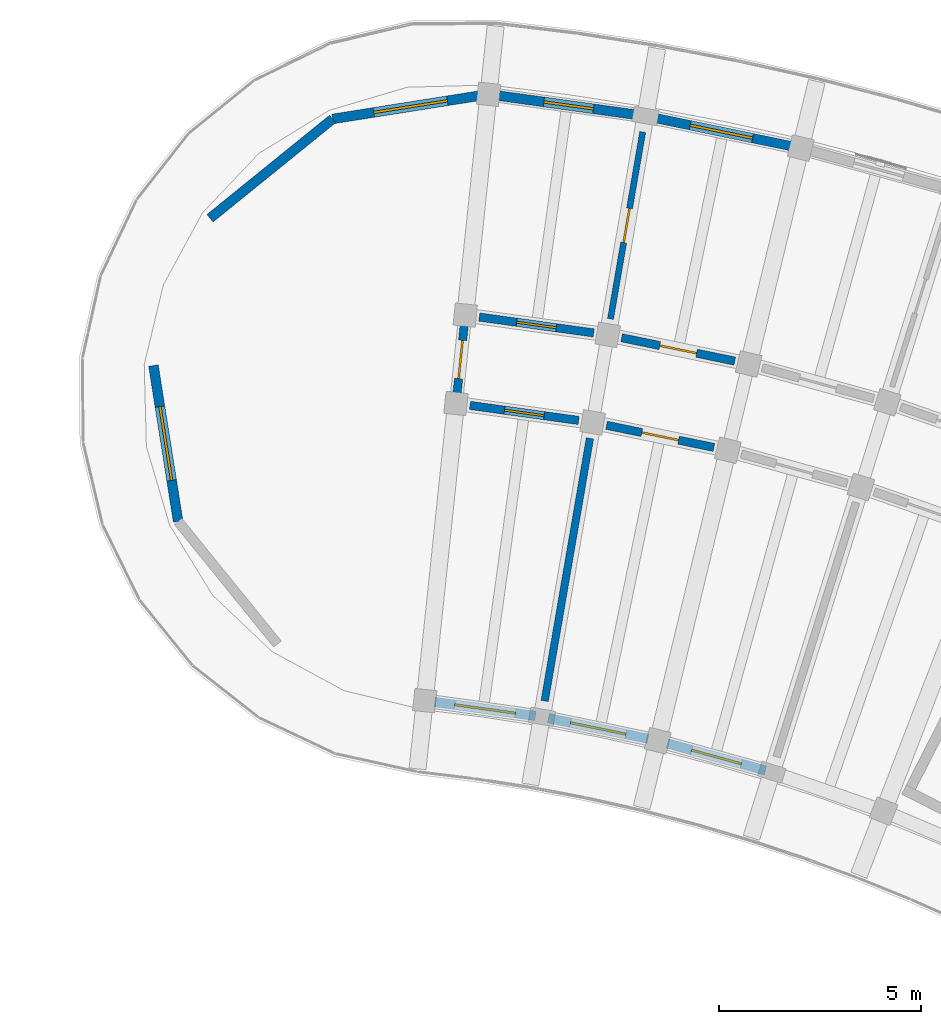
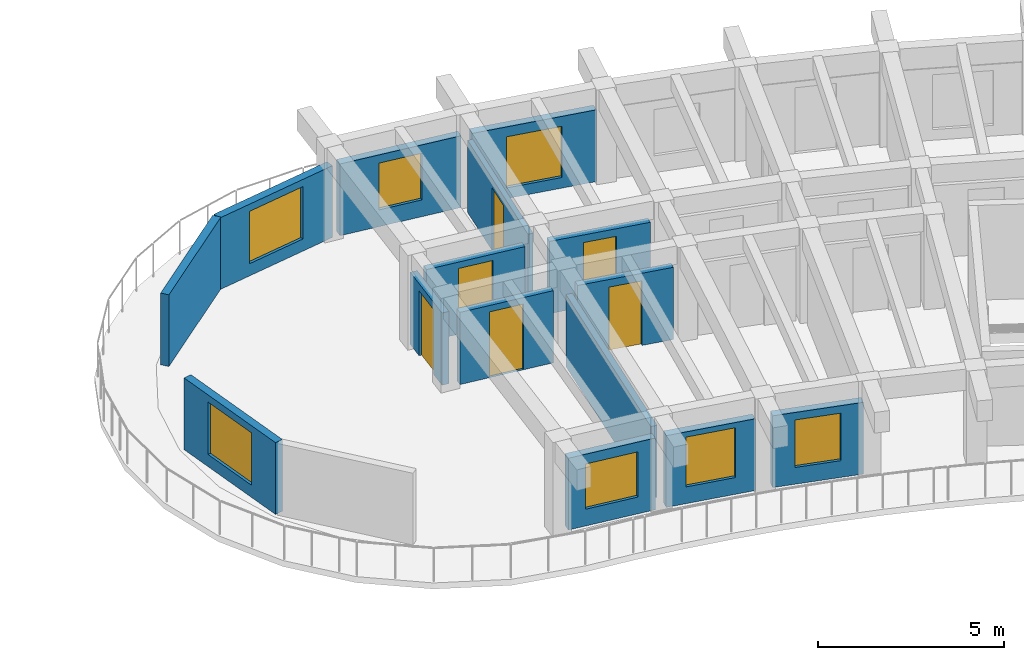
# One storey, part 51 of 81: 15 walls, 7 windows, 6 doors, 13 openings.
"""IFC4 building model written with IfcOpenShell, lengths in metres."""

from ifc_helpers import new_model, si_unit, direction, frame, frame_2d, origin, place, context, subcontext, project, spatial, rectangle, extrude, material, layer, layer_set, type_object, element, fill, save


model = new_model("IFC4")

# Units and contexts
model_context = context("Model", 3, precision=1e-05, world=origin(), true_north=direction((0.0, 1.0)))
body_context = subcontext(model_context, "Body", "Model", "MODEL_VIEW")
ifc_project = project(units=[si_unit("LENGTHUNIT", "METRE"), si_unit("AREAUNIT", "SQUARE_METRE"), si_unit("VOLUMEUNIT", "CUBIC_METRE"), si_unit("PLANEANGLEUNIT", "RADIAN"), si_unit("MASSUNIT", "GRAM", prefix="KILO")], contexts=[model_context])

# Site, building, storey
site_placement = place(None, origin())
site = spatial("IfcSite", under=ifc_project, at=site_placement, CompositionType="ELEMENT")
building_placement = place(site_placement, origin())
building = spatial("IfcBuilding", under=site, at=building_placement, Name="Tanwirah Colonnade Gardens", CompositionType="ELEMENT")
storey_placement = place(building_placement, frame((0.0, 0.0, 8.840087890625)))
storey = spatial("IfcBuildingStorey", under=building, at=storey_placement, Name="L02", CompositionType="ELEMENT", Elevation=8.840087890625)

# Wall, opening, window
ifc_material_1 = material(Name="Limestone architectural precast concrete C40/50", Category="masonry")
ifc_layer_1 = layer(ifc_material_1, 0.239990234375)
ifc_layer_set_1 = layer_set([ifc_layer_1], Name="Limestone architectural precast concrete C40/50")
wall_type_1 = type_object("IfcWallType", Name="EW-PC240", PredefinedType="SOLIDWALL", material=ifc_layer_set_1)
wall_1_placement = place(storey_placement, frame((134.0888671875, 102.674072265625, 0.0), z_axis=(0.0, 0.0, 1.0), x_axis=(-0.963901971286, 0.266257375017, 0.0)))
wall_1 = element("IfcWall", 1, at=wall_1_placement, inside=storey, type_object=wall_type_1, Name="Block B L02 IN Precast Facade Wall 15", PredefinedType="SOLIDWALL", context=body_context, shape_type="SweptSolid", body=[
    extrude(rectangle(XDim=2.525146484375, YDim=0.239990234375, at=frame_2d((1.2626953125, 0.0))), origin(), (0.0, 0.0, 1.0), 2.35498046875),
])
opening_1_placement = place(wall_1_placement, frame((0.62255859375, 0.0, 0.550048828125)))
opening_1 = element("IfcOpeningElement", 2, at=opening_1_placement, cuts=wall_1, Name="Opening WIN-U04", PredefinedType="OPENING", context=body_context, shape_type="SweptSolid", body=[
    extrude(rectangle(XDim=1.280029296875, YDim=1.56005859375, at=frame_2d((0.64013671875, 0.780029296875))), frame((0.0, 0.1298828125, 0.0), z_axis=(0.0, -1.0, 0.0), x_axis=(1.0, 0.0, 0.0)), (0.0, 0.0, 1.0), 0.260009765625),
])
ifc_material_2 = material(Name="Thermally broken bronze aluminium and solar low-E double glazing", Category="aluminium")
window_type_1 = type_object("IfcWindowType", Name="WIN-U04", PartitioningType="DOUBLE_PANEL_VERTICAL", PredefinedType="WINDOW", material=ifc_material_2)
window_1_placement = place(opening_1_placement, origin())
window_1 = element("IfcWindow", 3, at=window_1_placement, inside=storey, type_object=window_type_1, Name="Facade window B-L02-IN-15", OverallHeight=1.56005859375, OverallWidth=1.280029296875, PartitioningType="SINGLE_PANEL", PredefinedType="WINDOW", context=body_context, shape_type="SweptSolid", body=[
    extrude(rectangle(XDim=1.280029296875, YDim=1.56005859375, at=frame_2d((0.64013671875, 0.780029296875))), frame((0.0, 0.030029296875, 0.0), z_axis=(0.0, -1.0, 0.0), x_axis=(1.0, 0.0, 0.0)), (0.0, 0.0, 1.0), 0.06005859375),
])
fill(opening_1, window_1)

wall_2_placement = place(storey_placement, frame((134.7177734375, 118.140625, 0.0), z_axis=(0.0, 0.0, 1.0), x_axis=(-0.979340051053, 0.202220336275, 0.0)))
wall_2 = element("IfcWall", 4, at=wall_2_placement, inside=storey, type_object=wall_type_1, Name="Block B L02 OUT Precast Facade Wall 16", PredefinedType="SOLIDWALL", context=body_context, shape_type="SweptSolid", body=[
    extrude(rectangle(XDim=3.5205078125, YDim=0.239990234375, at=frame_2d((1.76025390625, 0.0))), origin(), (0.0, 0.0, 1.0), 2.35498046875),
])
opening_2_placement = place(wall_2_placement, frame((0.97021484375, 0.0, 0.35009765625)))
opening_2 = element("IfcOpeningElement", 5, at=opening_2_placement, cuts=wall_2, Name="Opening WIN-T20", PredefinedType="OPENING", context=body_context, shape_type="SweptSolid", body=[
    extrude(rectangle(XDim=1.580078125, YDim=1.679931640625, at=frame_2d((0.7900390625, 0.83984375))), frame((0.0, 0.1298828125, 0.0), z_axis=(0.0, -1.0, 0.0), x_axis=(1.0, 0.0, 0.0)), (0.0, 0.0, 1.0), 0.260009765625),
])
window_type_2 = type_object("IfcWindowType", Name="WIN-T20", PartitioningType="DOUBLE_PANEL_VERTICAL", PredefinedType="WINDOW", material=ifc_material_2)
window_2_placement = place(opening_2_placement, origin())
window_2 = element("IfcWindow", 6, at=window_2_placement, inside=storey, type_object=window_type_2, Name="Facade window B-L02-OUT-16", OverallHeight=1.679931640625, OverallWidth=1.580078125, PartitioningType="SINGLE_PANEL", PredefinedType="WINDOW", context=body_context, shape_type="SweptSolid", body=[
    extrude(rectangle(XDim=1.580078125, YDim=1.679931640625, at=frame_2d((0.7900390625, 0.83984375))), frame((0.0, 0.030029296875, 0.0), z_axis=(0.0, -1.0, 0.0), x_axis=(1.0, 0.0, 0.0)), (0.0, 0.0, 1.0), 0.06005859375),
])
fill(opening_2, window_2)

wall_3_placement = place(storey_placement, frame((131.1787109375, 103.46142578125, 0.0), z_axis=(0.0, 0.0, 1.0), x_axis=(-0.979353576928, 0.202154820272, 0.0)))
wall_3 = element("IfcWall", 7, at=wall_3_placement, inside=storey, type_object=wall_type_1, Name="Block B L02 IN Precast Facade Wall 16", PredefinedType="SOLIDWALL", context=body_context, shape_type="SweptSolid", body=[
    extrude(rectangle(XDim=2.525390625, YDim=0.239990234375, at=frame_2d((1.2626953125, 0.0))), origin(), (0.0, 0.0, 1.0), 2.35498046875),
])
opening_3_placement = place(wall_3_placement, frame((0.5625, 0.0, 0.550048828125)))
opening_3 = element("IfcOpeningElement", 8, at=opening_3_placement, cuts=wall_3, Name="Opening WIN-U07", PredefinedType="OPENING", context=body_context, shape_type="SweptSolid", body=[
    extrude(rectangle(XDim=1.39990234375, YDim=1.635009765625, at=frame_2d((0.699951171875, 0.8173828125))), frame((0.0, 0.1298828125, 0.0), z_axis=(0.0, -1.0, 0.0), x_axis=(1.0, 0.0, 0.0)), (0.0, 0.0, 1.0), 0.260009765625),
])
window_type_3 = type_object("IfcWindowType", Name="WIN-U07", PartitioningType="DOUBLE_PANEL_VERTICAL", PredefinedType="WINDOW", material=ifc_material_2)
window_3_placement = place(opening_3_placement, origin())
window_3 = element("IfcWindow", 9, at=window_3_placement, inside=storey, type_object=window_type_3, Name="Facade window B-L02-IN-16", OverallHeight=1.635009765625, OverallWidth=1.39990234375, PartitioningType="SINGLE_PANEL", PredefinedType="WINDOW", context=body_context, shape_type="SweptSolid", body=[
    extrude(rectangle(XDim=1.39990234375, YDim=1.635009765625, at=frame_2d((0.699951171875, 0.8173828125))), frame((0.0, 0.030029296875, 0.0), z_axis=(0.0, -1.0, 0.0), x_axis=(1.0, 0.0, 0.0)), (0.0, 0.0, 1.0), 0.06005859375),
])
fill(opening_3, window_3)

wall_4_placement = place(storey_placement, frame((130.954833984375, 118.906982421875, 0.0), z_axis=(0.0, 0.0, 1.0), x_axis=(-0.990539718913, 0.137226328578, 0.0)))
wall_4 = element("IfcWall", 10, at=wall_4_placement, inside=storey, type_object=wall_type_1, Name="Block B L02 OUT Precast Facade Wall 17", PredefinedType="SOLIDWALL", context=body_context, shape_type="SweptSolid", body=[
    extrude(rectangle(XDim=3.520751953125, YDim=0.239990234375, at=frame_2d((1.76025390625, 0.0))), origin(), (0.0, 0.0, 1.0), 2.35498046875),
])
opening_4_placement = place(wall_4_placement, frame((1.140380859375, 0.0, 0.550048828125)))
opening_4 = element("IfcOpeningElement", 11, at=opening_4_placement, cuts=wall_4, Name="Opening WIN-U03", PredefinedType="OPENING", context=body_context, shape_type="SweptSolid", body=[
    extrude(rectangle(XDim=1.239990234375, YDim=1.534912109375, at=frame_2d((0.6201171875, 0.767578125))), frame((0.0, 0.1298828125, 0.0), z_axis=(0.0, -1.0, 0.0), x_axis=(1.0, 0.0, 0.0)), (0.0, 0.0, 1.0), 0.260009765625),
])
window_type_4 = type_object("IfcWindowType", Name="WIN-U03", PartitioningType="DOUBLE_PANEL_VERTICAL", PredefinedType="WINDOW", material=ifc_material_2)
window_4_placement = place(opening_4_placement, origin())
window_4 = element("IfcWindow", 12, at=window_4_placement, inside=storey, type_object=window_type_4, Name="Facade window B-L02-OUT-17", OverallHeight=1.534912109375, OverallWidth=1.239990234375, PartitioningType="SINGLE_PANEL", PredefinedType="WINDOW", context=body_context, shape_type="SweptSolid", body=[
    extrude(rectangle(XDim=1.239990234375, YDim=1.534912109375, at=frame_2d((0.6201171875, 0.767578125))), frame((0.0, 0.030029296875, 0.0), z_axis=(0.0, -1.0, 0.0), x_axis=(1.0, 0.0, 0.0)), (0.0, 0.0, 1.0), 0.06005859375),
])
fill(opening_4, window_4)

wall_5_placement = place(storey_placement, frame((128.390380859375, 104.0263671875, 0.0), z_axis=(0.0, 0.0, 1.0), x_axis=(-0.990545622952, 0.13718370476, 0.0)))
wall_5 = element("IfcWall", 13, at=wall_5_placement, inside=storey, type_object=wall_type_1, Name="Block B L02 IN Precast Facade Wall 17", PredefinedType="SOLIDWALL", context=body_context, shape_type="SweptSolid", body=[
    extrude(rectangle(XDim=2.525390625, YDim=0.239990234375, at=frame_2d((1.2626953125, 0.0))), origin(), (0.0, 0.0, 1.0), 2.35498046875),
])
opening_5_placement = place(wall_5_placement, frame((0.502685546875, 0.0, 0.550048828125)))
opening_5 = element("IfcOpeningElement", 14, at=opening_5_placement, cuts=wall_5, Name="Opening WIN-U10", PredefinedType="OPENING", context=body_context, shape_type="SweptSolid", body=[
    extrude(rectangle(XDim=1.52001953125, YDim=1.485107421875, at=frame_2d((0.760009765625, 0.74267578125))), frame((0.0, 0.1298828125, 0.0), z_axis=(0.0, -1.0, 0.0), x_axis=(1.0, 0.0, 0.0)), (0.0, 0.0, 1.0), 0.260009765625),
])
window_type_5 = type_object("IfcWindowType", Name="WIN-U10", PartitioningType="DOUBLE_PANEL_VERTICAL", PredefinedType="WINDOW", material=ifc_material_2)
window_5_placement = place(opening_5_placement, origin())
window_5 = element("IfcWindow", 15, at=window_5_placement, inside=storey, type_object=window_type_5, Name="Facade window B-L02-IN-17", OverallHeight=1.485107421875, OverallWidth=1.52001953125, PartitioningType="SINGLE_PANEL", PredefinedType="WINDOW", context=body_context, shape_type="SweptSolid", body=[
    extrude(rectangle(XDim=1.52001953125, YDim=1.485107421875, at=frame_2d((0.760009765625, 0.74267578125))), frame((0.0, 0.030029296875, 0.0), z_axis=(0.0, -1.0, 0.0), x_axis=(1.0, 0.0, 0.0)), (0.0, 0.0, 1.0), 0.06005859375),
])
fill(opening_5, window_5)

wall_6_placement = place(storey_placement, frame((119.538330078125, 108.84423828125, 0.0), z_axis=(0.0, 0.0, 1.0), x_axis=(-0.15648221771, 0.987680776132, 0.0)))
wall_6 = element("IfcWall", 16, at=wall_6_placement, inside=storey, type_object=wall_type_1, Name="Block B L02 END Rounded End Wall 2", PredefinedType="SOLIDWALL", context=body_context, shape_type="SweptSolid", body=[
    extrude(rectangle(XDim=3.908203125, YDim=0.239990234375, at=frame_2d((1.9541015625, 0.0))), origin(), (0.0, 0.0, 1.0), 2.35498046875),
])
opening_6_placement = place(wall_6_placement, frame((1.029052734375, 0.0, 0.39990234375)))
opening_6 = element("IfcOpeningElement", 17, at=opening_6_placement, cuts=wall_6, Name="Opening WIN-END1", PredefinedType="OPENING", context=body_context, shape_type="SweptSolid", body=[
    extrude(rectangle(XDim=1.85009765625, YDim=1.719970703125, at=frame_2d((0.925048828125, 0.85986328125))), frame((0.0, 0.1298828125, 0.0), z_axis=(0.0, -1.0, 0.0), x_axis=(1.0, 0.0, 0.0)), (0.0, 0.0, 1.0), 0.260009765625),
])
window_type_6 = type_object("IfcWindowType", Name="WIN-END1", PartitioningType="TRIPLE_PANEL_VERTICAL", PredefinedType="WINDOW", material=ifc_material_2)
window_6_placement = place(opening_6_placement, origin())
window_6 = element("IfcWindow", 18, at=window_6_placement, inside=storey, type_object=window_type_6, Name="Rounded corner window B-L02-END-2", OverallHeight=1.719970703125, OverallWidth=1.85009765625, PartitioningType="SINGLE_PANEL", PredefinedType="WINDOW", context=body_context, shape_type="SweptSolid", body=[
    extrude(rectangle(XDim=1.85009765625, YDim=1.719970703125, at=frame_2d((0.925048828125, 0.85986328125))), frame((0.0, 0.030029296875, 0.0), z_axis=(0.0, -1.0, 0.0), x_axis=(1.0, 0.0, 0.0)), (0.0, 0.0, 1.0), 0.06005859375),
])
fill(opening_6, window_6)

# Wall
wall_7_placement = place(storey_placement, frame((120.327392578125, 116.35302734375, 0.0), z_axis=(0.0, 0.0, 1.0), x_axis=(0.777137204109, 0.629331205321, 0.0)))
element("IfcWall", 19, at=wall_7_placement, inside=storey, type_object=wall_type_1, Name="Block B L02 END Rounded End Wall 4", PredefinedType="SOLIDWALL", context=body_context, shape_type="SweptSolid", body=[
    extrude(rectangle(XDim=3.907958984375, YDim=0.239990234375, at=frame_2d((1.9541015625, 0.0))), origin(), (0.0, 0.0, 1.0), 2.35498046875),
])

# Wall, opening, window
wall_8_placement = place(storey_placement, frame((123.364501953125, 118.8125, 0.0), z_axis=(0.0, 0.0, 1.0), x_axis=(0.987690429048, 0.156421278498, 0.0)))
wall_8 = element("IfcWall", 20, at=wall_8_placement, inside=storey, type_object=wall_type_1, Name="Block B L02 END Rounded End Wall 5", PredefinedType="SOLIDWALL", context=body_context, shape_type="SweptSolid", body=[
    extrude(rectangle(XDim=3.908203125, YDim=0.239990234375, at=frame_2d((1.9541015625, 0.0))), origin(), (0.0, 0.0, 1.0), 2.35498046875),
])
opening_7_placement = place(wall_8_placement, frame((1.029052734375, 0.0, 0.39990234375)))
opening_7 = element("IfcOpeningElement", 21, at=opening_7_placement, cuts=wall_8, Name="Opening WIN-END1", PredefinedType="OPENING", context=body_context, shape_type="SweptSolid", body=[
    extrude(rectangle(XDim=1.85009765625, YDim=1.719970703125, at=frame_2d((0.925048828125, 0.85986328125))), frame((0.0, 0.1298828125, 0.0), z_axis=(0.0, -1.0, 0.0), x_axis=(1.0, 0.0, 0.0)), (0.0, 0.0, 1.0), 0.260009765625),
])
window_7_placement = place(opening_7_placement, origin())
window_7 = element("IfcWindow", 22, at=window_7_placement, inside=storey, type_object=window_type_6, Name="Rounded corner window B-L02-END-5", OverallHeight=1.719970703125, OverallWidth=1.85009765625, PartitioningType="SINGLE_PANEL", PredefinedType="WINDOW", context=body_context, shape_type="SweptSolid", body=[
    extrude(rectangle(XDim=1.85009765625, YDim=1.719970703125, at=frame_2d((0.925048828125, 0.85986328125))), frame((0.0, 0.030029296875, 0.0), z_axis=(0.0, -1.0, 0.0), x_axis=(1.0, 0.0, 0.0)), (0.0, 0.0, 1.0), 0.06005859375),
])
fill(opening_7, window_7)

# Wall, opening, door
ifc_material_3 = material(Name="Precast concrete C40/50", Category="concrete")
ifc_layer_2 = layer(ifc_material_3, 0.205078125)
ifc_layer_set_2 = layer_set([ifc_layer_2], Name="Precast concrete C40/50")
wall_type_2 = type_object("IfcWallType", Name="IW-CORR205", PredefinedType="PARTITIONING", material=ifc_layer_set_2)
wall_9_placement = place(storey_placement, frame((133.325927734375, 112.815185546875, 0.0), z_axis=(0.0, 0.0, 1.0), x_axis=(-0.979348418612, 0.202179808492, 0.0)))
wall_9 = element("IfcWall", 23, at=wall_9_placement, inside=storey, type_object=wall_type_2, Name="Block B L02 OUT Corridor Wall 16", PredefinedType="PARTITIONING", context=body_context, shape_type="SweptSolid", body=[
    extrude(rectangle(XDim=2.863037109375, YDim=0.205078125, at=frame_2d((1.431640625, 0.0))), origin(), (0.0, 0.0, 1.0), 2.369873046875),
])
opening_8_placement = place(wall_9_placement, frame((0.966552734375, 0.0, 0.0)))
opening_8 = element("IfcOpeningElement", 24, at=opening_8_placement, cuts=wall_9, Name="Opening L02-AD910", PredefinedType="OPENING", context=body_context, shape_type="SweptSolid", body=[
    extrude(rectangle(XDim=0.929931640625, YDim=2.1201171875, at=frame_2d((0.46484375, 1.06005859375))), frame((0.0, 0.112548828125, 0.0), z_axis=(0.0, -1.0, 0.0), x_axis=(1.0, 0.0, 0.0)), (0.0, 0.0, 1.0), 0.22509765625),
])
ifc_material_4 = material(Name="Solid oak fire-resisting apartment entrance door")
door_type_1 = type_object("IfcDoorType", Name="ID-FLT093", OperationType="NOTDEFINED", PredefinedType="DOOR", material=ifc_material_4)
door_1_placement = place(opening_8_placement, origin())
door_1 = element("IfcDoor", 25, at=door_1_placement, inside=storey, type_object=door_type_1, Name="Apartment corridor door L02-AD910", OperationType="SINGLE_SWING_LEFT", OverallHeight=2.1201171875, OverallWidth=0.929931640625, PredefinedType="DOOR", context=body_context, shape_type="SweptSolid", body=[
    extrude(rectangle(XDim=0.929931640625, YDim=2.1201171875, at=frame_2d((0.46484375, 1.06005859375))), frame((0.0, 0.02490234375, 0.0), z_axis=(0.0, -1.0, 0.0), x_axis=(1.0, 0.0, 0.0)), (0.0, 0.0, 1.0), 0.050048828125),
])
fill(opening_8, door_1)

wall_10_placement = place(storey_placement, frame((132.810302734375, 110.676513671875, 0.0), z_axis=(0.0, 0.0, 1.0), x_axis=(-0.979349423541, 0.202174940608, 0.0)))
wall_10 = element("IfcWall", 26, at=wall_10_placement, inside=storey, type_object=wall_type_2, Name="Block B L02 IN Corridor Wall 16", PredefinedType="PARTITIONING", context=body_context, shape_type="SweptSolid", body=[
    extrude(rectangle(XDim=2.71826171875, YDim=0.205078125, at=frame_2d((1.359130859375, 0.0))), origin(), (0.0, 0.0, 1.0), 2.369873046875),
])
opening_9_placement = place(wall_10_placement, frame((0.89404296875, 0.0, 0.0)))
opening_9 = element("IfcOpeningElement", 27, at=opening_9_placement, cuts=wall_10, Name="Opening L02-AD911", PredefinedType="OPENING", context=body_context, shape_type="SweptSolid", body=[
    extrude(rectangle(XDim=0.929931640625, YDim=2.1201171875, at=frame_2d((0.46484375, 1.06005859375))), frame((0.0, 0.112548828125, 0.0), z_axis=(0.0, -1.0, 0.0), x_axis=(1.0, 0.0, 0.0)), (0.0, 0.0, 1.0), 0.22509765625),
])
door_2_placement = place(opening_9_placement, origin())
door_2 = element("IfcDoor", 28, at=door_2_placement, inside=storey, type_object=door_type_1, Name="Apartment corridor door L02-AD911", OperationType="SINGLE_SWING_RIGHT", OverallHeight=2.1201171875, OverallWidth=0.929931640625, PredefinedType="DOOR", context=body_context, shape_type="SweptSolid", body=[
    extrude(rectangle(XDim=0.929931640625, YDim=2.1201171875, at=frame_2d((0.46484375, 1.06005859375))), frame((0.0, 0.02490234375, 0.0), z_axis=(0.0, -1.0, 0.0), x_axis=(1.0, 0.0, 0.0)), (0.0, 0.0, 1.0), 0.050048828125),
])
fill(opening_9, door_2)

wall_11_placement = place(storey_placement, frame((129.83251953125, 113.512939453125, 0.0), z_axis=(0.0, 0.0, 1.0), x_axis=(-0.990544162976, 0.137194246211, 0.0)))
wall_11 = element("IfcWall", 29, at=wall_11_placement, inside=storey, type_object=wall_type_2, Name="Block B L02 OUT Corridor Wall 17", PredefinedType="PARTITIONING", context=body_context, shape_type="SweptSolid", body=[
    extrude(rectangle(XDim=2.86328125, YDim=0.205078125, at=frame_2d((1.431640625, 0.0))), origin(), (0.0, 0.0, 1.0), 2.369873046875),
])
opening_10_placement = place(wall_11_placement, frame((0.9365234375, 0.0, 0.0)))
opening_10 = element("IfcOpeningElement", 30, at=opening_10_placement, cuts=wall_11, Name="Opening L02-AD913", PredefinedType="OPENING", context=body_context, shape_type="SweptSolid", body=[
    extrude(rectangle(XDim=0.989990234375, YDim=2.159912109375, at=frame_2d((0.4951171875, 1.080078125))), frame((0.0, 0.112548828125, 0.0), z_axis=(0.0, -1.0, 0.0), x_axis=(1.0, 0.0, 0.0)), (0.0, 0.0, 1.0), 0.22509765625),
])
door_type_2 = type_object("IfcDoorType", Name="ID-FLT099", OperationType="NOTDEFINED", PredefinedType="DOOR", material=ifc_material_4)
door_3_placement = place(opening_10_placement, origin())
door_3 = element("IfcDoor", 31, at=door_3_placement, inside=storey, type_object=door_type_2, Name="Apartment corridor door L02-AD913", OperationType="SINGLE_SWING_RIGHT", OverallHeight=2.159912109375, OverallWidth=0.989990234375, PredefinedType="DOOR", context=body_context, shape_type="SweptSolid", body=[
    extrude(rectangle(XDim=0.989990234375, YDim=2.159912109375, at=frame_2d((0.4951171875, 1.080078125))), frame((0.0, 0.02490234375, 0.0), z_axis=(0.0, -1.0, 0.0), x_axis=(1.0, 0.0, 0.0)), (0.0, 0.0, 1.0), 0.050048828125),
])
fill(opening_10, door_3)

wall_12_placement = place(storey_placement, frame((129.458740234375, 111.344970703125, 0.0), z_axis=(0.0, 0.0, 1.0), x_axis=(-0.990535404475, 0.137257467855, 0.0)))
wall_12 = element("IfcWall", 32, at=wall_12_placement, inside=storey, type_object=wall_type_2, Name="Block B L02 IN Corridor Wall 17", PredefinedType="PARTITIONING", context=body_context, shape_type="SweptSolid", body=[
    extrude(rectangle(XDim=2.7177734375, YDim=0.205078125, at=frame_2d((1.35888671875, 0.0))), origin(), (0.0, 0.0, 1.0), 2.369873046875),
])
opening_11_placement = place(wall_12_placement, frame((0.864013671875, 0.0, 0.0)))
opening_11 = element("IfcOpeningElement", 33, at=opening_11_placement, cuts=wall_12, Name="Opening L02-AD914", PredefinedType="OPENING", context=body_context, shape_type="SweptSolid", body=[
    extrude(rectangle(XDim=0.989990234375, YDim=2.159912109375, at=frame_2d((0.4951171875, 1.080078125))), frame((0.0, 0.112548828125, 0.0), z_axis=(0.0, -1.0, 0.0), x_axis=(1.0, 0.0, 0.0)), (0.0, 0.0, 1.0), 0.22509765625),
])
door_4_placement = place(opening_11_placement, origin())
door_4 = element("IfcDoor", 34, at=door_4_placement, inside=storey, type_object=door_type_2, Name="Apartment corridor door L02-AD914", OperationType="SINGLE_SWING_LEFT", OverallHeight=2.159912109375, OverallWidth=0.989990234375, PredefinedType="DOOR", context=body_context, shape_type="SweptSolid", body=[
    extrude(rectangle(XDim=0.989990234375, YDim=2.159912109375, at=frame_2d((0.4951171875, 1.080078125))), frame((0.0, 0.02490234375, 0.0), z_axis=(0.0, -1.0, 0.0), x_axis=(1.0, 0.0, 0.0)), (0.0, 0.0, 1.0), 0.050048828125),
])
fill(opening_11, door_4)

wall_13_placement = place(storey_placement, frame((126.425048828125, 111.815673828125, 0.0), z_axis=(0.0, 0.0, 1.0), x_axis=(0.104509292252, 0.994523910136, 0.0)))
wall_13 = element("IfcWall", 35, at=wall_13_placement, inside=storey, type_object=wall_type_2, Name="Block B L02 CE Corner Suite Corridor Wall", PredefinedType="PARTITIONING", context=body_context, shape_type="SweptSolid", body=[
    extrude(rectangle(XDim=2.10009765625, YDim=0.205078125, at=frame_2d((1.050048828125, 0.0))), origin(), (0.0, 0.0, 1.0), 2.369873046875),
])
opening_12_placement = place(wall_13_placement, frame((0.570068359375, 0.0, 0.0)))
opening_12 = element("IfcOpeningElement", 36, at=opening_12_placement, cuts=wall_13, Name="Opening L02-CD916", PredefinedType="OPENING", context=body_context, shape_type="SweptSolid", body=[
    extrude(rectangle(XDim=0.949951171875, YDim=2.1298828125, at=frame_2d((0.47509765625, 1.06494140625))), frame((0.0, 0.112548828125, 0.0), z_axis=(0.0, -1.0, 0.0), x_axis=(1.0, 0.0, 0.0)), (0.0, 0.0, 1.0), 0.22509765625),
])
door_type_3 = type_object("IfcDoorType", Name="ID-FLT095", OperationType="NOTDEFINED", PredefinedType="DOOR", material=ifc_material_4)
door_5_placement = place(opening_12_placement, origin())
door_5 = element("IfcDoor", 37, at=door_5_placement, inside=storey, type_object=door_type_3, Name="Corner suite entrance door L02-CD916", OperationType="SINGLE_SWING_RIGHT", OverallHeight=2.1298828125, OverallWidth=0.949951171875, PredefinedType="DOOR", context=body_context, shape_type="SweptSolid", body=[
    extrude(rectangle(XDim=0.949951171875, YDim=2.1298828125, at=frame_2d((0.47509765625, 1.06494140625))), frame((0.0, 0.02490234375, 0.0), z_axis=(0.0, -1.0, 0.0), x_axis=(1.0, 0.0, 0.0)), (0.0, 0.0, 1.0), 0.050048828125),
])
fill(opening_12, door_5)

# Wall
ifc_layer_3 = layer(ifc_material_3, 0.18505859375)
ifc_layer_set_3 = layer_set([ifc_layer_3], Name="Precast concrete C40/50")
wall_type_3 = type_object("IfcWallType", Name="IW-DEM185", PredefinedType="PARTITIONING", material=ifc_layer_set_3)
wall_14_placement = place(storey_placement, frame((128.61669921875, 104.3984375, 0.0), z_axis=(0.0, 0.0, 1.0), x_axis=(0.169825160084, 0.985474208187, 0.0)))
element("IfcWall", 38, at=wall_14_placement, inside=storey, type_object=wall_type_3, Name="Block B L02 Inner Radial Partition 16", PredefinedType="PARTITIONING", context=body_context, shape_type="SweptSolid", body=[
    extrude(rectangle(XDim=6.60009765625, YDim=0.18505859375, at=frame_2d((3.300048828125, 0.0))), origin(), (0.0, 0.0, 1.0), 2.369873046875),
])

# Wall, opening, door
ifc_material_5 = material(Name="Water-resistant acoustic plumbing partition")
ifc_layer_4 = layer(ifc_material_5, 0.14990234375)
ifc_layer_set_4 = layer_set([ifc_layer_4], Name="Water-resistant acoustic plumbing partition")
wall_type_4 = type_object("IfcWallType", Name="IW-WET150", PredefinedType="PLUMBINGWALL", material=ifc_layer_set_4)
wall_15_placement = place(storey_placement, frame((130.2470703125, 113.859130859375, 0.0), z_axis=(0.0, 0.0, 1.0), x_axis=(0.169812980219, 0.985476307046, 0.0)))
wall_15 = element("IfcWall", 39, at=wall_15_placement, inside=storey, type_object=wall_type_4, Name="Block B L02 Radial Partition 16", PredefinedType="PLUMBINGWALL", context=body_context, shape_type="SweptSolid", body=[
    extrude(rectangle(XDim=4.699951171875, YDim=0.14990234375, at=frame_2d((2.35009765625, 0.0))), origin(), (0.0, 0.0, 1.0), 2.369873046875),
])
opening_13_placement = place(wall_15_placement, frame((1.919921875, 0.0, 0.0)))
opening_13 = element("IfcOpeningElement", 40, at=opening_13_placement, cuts=wall_15, Name="Opening L02-RD912", PredefinedType="OPENING", context=body_context, shape_type="SweptSolid", body=[
    extrude(rectangle(XDim=0.860107421875, YDim=2.06005859375, at=frame_2d((0.43017578125, 1.030029296875))), frame((0.0, 0.0849609375, 0.0), z_axis=(0.0, -1.0, 0.0), x_axis=(1.0, 0.0, 0.0)), (0.0, 0.0, 1.0), 0.169921875),
])
ifc_material_6 = material(Name="Moisture-resistant bathroom door")
door_type_4 = type_object("IfcDoorType", Name="ID-WET086", OperationType="NOTDEFINED", PredefinedType="DOOR", material=ifc_material_6)
door_6_placement = place(opening_13_placement, origin())
door_6 = element("IfcDoor", 41, at=door_6_placement, inside=storey, type_object=door_type_4, Name="Internal apartment door L02-RD912", OperationType="SINGLE_SWING_LEFT", OverallHeight=2.06005859375, OverallWidth=0.860107421875, PredefinedType="DOOR", context=body_context, shape_type="SweptSolid", body=[
    extrude(rectangle(XDim=0.860107421875, YDim=2.06005859375, at=frame_2d((0.43017578125, 1.030029296875))), frame((0.0, 0.02490234375, 0.0), z_axis=(0.0, -1.0, 0.0), x_axis=(1.0, 0.0, 0.0)), (0.0, 0.0, 1.0), 0.050048828125),
])
fill(opening_13, door_6)

save(model, "model.ifc")
